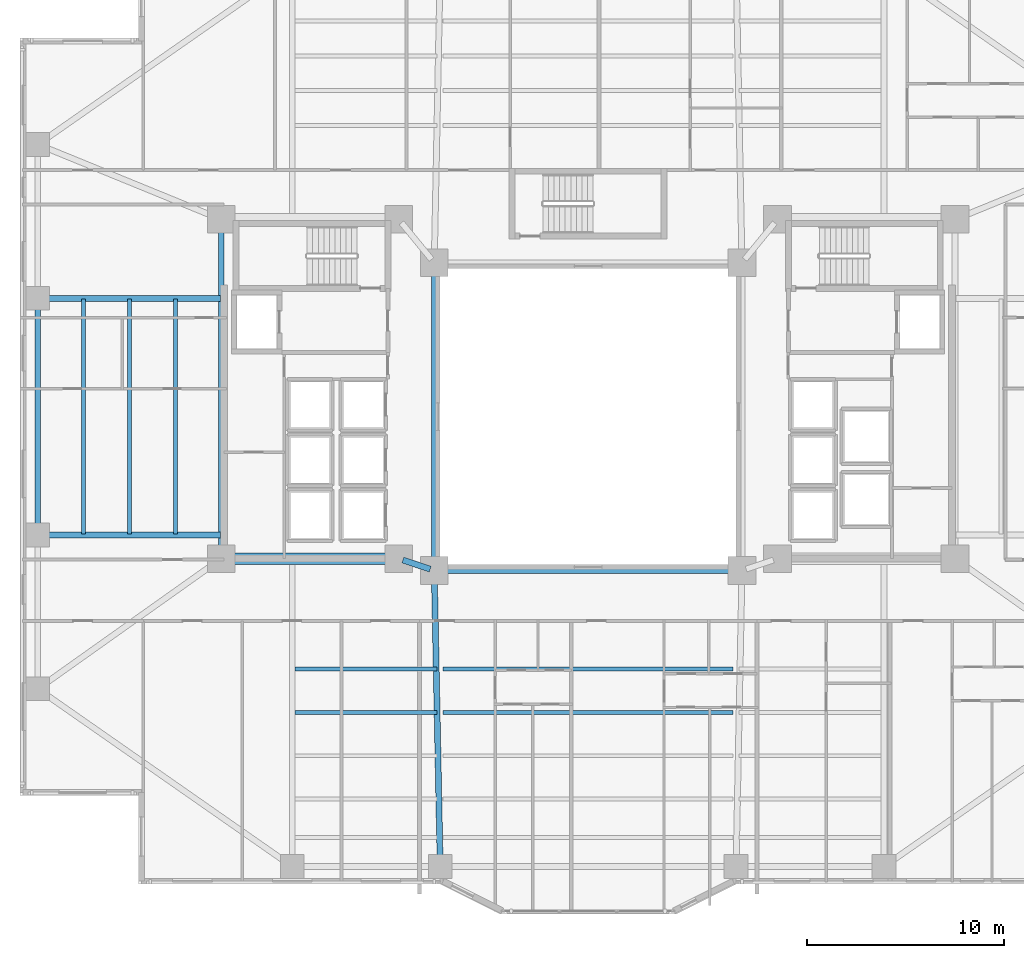
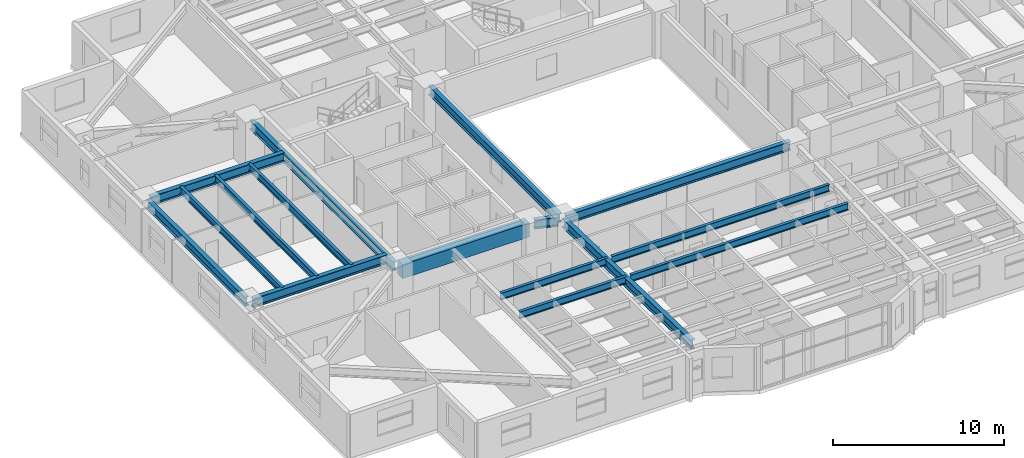
# One storey, part 3 of 21: 16 beams.
"""IFC4 building model written with IfcOpenShell, lengths in metres."""

from ifc_helpers import new_model, si_unit, direction, frame, origin, origin_2d, place, context, subcontext, project, spatial, rectangle, i_section, extrude, material, material_profile, profile_set, type_object, element, save


model = new_model("IFC4")

# Units and contexts
model_context = context("Model", 3, precision=1e-05, world=origin(), true_north=direction((0.0, 1.0)))
body_context = subcontext(model_context, "Body", "Model", "MODEL_VIEW")
ifc_project = project(units=[si_unit("LENGTHUNIT", "METRE"), si_unit("AREAUNIT", "SQUARE_METRE"), si_unit("VOLUMEUNIT", "CUBIC_METRE"), si_unit("PLANEANGLEUNIT", "RADIAN"), si_unit("MASSUNIT", "GRAM", prefix="KILO")], contexts=[model_context])

# Site, building, storey
site_placement = place(None, origin())
site = spatial("IfcSite", under=ifc_project, at=site_placement, CompositionType="ELEMENT")
building_placement = place(site_placement, origin())
building = spatial("IfcBuilding", under=site, at=building_placement, Name="Tarnavaz Court Tower", CompositionType="ELEMENT")
storey_placement = place(building_placement, frame((0.0, 0.0, 47.449951171875)))
storey = spatial("IfcBuildingStorey", under=building, at=storey_placement, Name="L12", CompositionType="ELEMENT", Elevation=47.449951171875)

# Beams
ifc_material_1 = material(Name="Concrete C60/75", Category="concrete")
ifc_material_profile_1 = material_profile(ifc_material_1, rectangle(XDim=0.60009765625, YDim=1.0, at=origin_2d()), Name="RC 600X1000")
ifc_profile_set_1 = profile_set([ifc_material_profile_1], Name="Concrete C60/75")
beam_type_1 = type_object("IfcBeamType", Name="BM-CB1000", PredefinedType="LINTEL", material=ifc_profile_set_1)
beam_1_placement = place(storey_placement, frame((-18.3798828125, -7.199951171875, 2.60009765625), z_axis=(1.0, 0.0, 0.0), x_axis=(0.0, 1.0, 0.0)))
element("IfcBeam", 1, at=beam_1_placement, inside=storey, type_object=beam_type_1, Name="L12 Beam IN-CW-SO-CW-SI", PredefinedType="LINTEL", context=body_context, shape_type="SweptSolid", body=[
    extrude(rectangle(XDim=0.60009765625, YDim=1.0, at=origin_2d()), origin(), (0.0, 0.0, 1.0), 8.559814453125),
])
ifc_material_2 = material(Name="Steel S355", Category="steel")
ifc_material_profile_2 = material_profile(ifc_material_2, i_section(OverallWidth=0.300048828125, OverallDepth=0.64990234375, WebThickness=0.01611328125, FlangeThickness=0.031005859375, FilletRadius=0.027099609375, at=origin_2d()), Name="HEB 650")
ifc_profile_set_2 = profile_set([ifc_material_profile_2], Name="Steel S355")
beam_type_2 = type_object("IfcBeamType", Name="BM-G-HEB650", PredefinedType="USERDEFINED", material=ifc_profile_set_2)
beam_2_placement = place(storey_placement, frame((-9.391357421875, -7.26953125, 2.775146484375), z_axis=(0.948666544706, -0.316278021615, 0.0), x_axis=(0.316278021615, 0.948666544706, 0.0)))
element("IfcBeam", 2, at=beam_2_placement, inside=storey, type_object=beam_type_2, Name="L12 Beam IN-CW-SI-IW-SW", ObjectType="GIRDER", PredefinedType="USERDEFINED", context=body_context, shape_type="SweptSolid", body=[
    extrude(i_section(OverallWidth=0.300048828125, OverallDepth=0.64990234375, WebThickness=0.01611328125, FlangeThickness=0.031005859375, FilletRadius=0.027099609375, at=origin_2d()), origin(), (0.0, 0.0, 1.0), 1.457275390625),
])
beam_3_placement = place(storey_placement, frame((-18.60009765625, -6.97998046875, 2.775146484375), z_axis=(0.0, 1.0, 0.0), x_axis=(-1.0, 0.0, 0.0)))
element("IfcBeam", 3, at=beam_3_placement, inside=storey, type_object=beam_type_2, Name="L12 Beam IN-CW-SO-CW-NO", ObjectType="GIRDER", PredefinedType="USERDEFINED", context=body_context, shape_type="SweptSolid", body=[
    extrude(i_section(OverallWidth=0.300048828125, OverallDepth=0.64990234375, WebThickness=0.01611328125, FlangeThickness=0.031005859375, FilletRadius=0.027099609375, at=origin_2d()), origin(), (0.0, 0.0, 1.0), 16.760009765625),
])
beam_4_placement = place(storey_placement, frame((-7.795654296875, -8.02001953125, 2.775146484375), z_axis=(0.020000023066, -0.999799979535, 0.0), x_axis=(0.999799979535, 0.020000023066, 0.0)))
element("IfcBeam", 4, at=beam_4_placement, inside=storey, type_object=beam_type_2, Name="L12 Beam RG-06", ObjectType="GIRDER", PredefinedType="USERDEFINED", context=body_context, shape_type="SweptSolid", body=[
    extrude(i_section(OverallWidth=0.300048828125, OverallDepth=0.64990234375, WebThickness=0.01611328125, FlangeThickness=0.031005859375, FilletRadius=0.027099609375, at=origin_2d()), origin(), (0.0, 0.0, 1.0), 14.56298828125),
])
for number, where, z_axis, x_axis, name in (
    (5, (-18.639892578125, -6.0, 2.775146484375), (-1.0, 0.0, 0.0), (0.0, -1.0, 0.0), "L12 Beam RG-13"),
    (6, (-18.639892578125, 6.0, 2.775146484375), (-1.0, 0.0, 0.0), (0.0, -1.0, 0.0), "L12 Beam RG-14"),
):
    element("IfcBeam", number, at=place(storey_placement, frame(where, z_axis=z_axis, x_axis=x_axis)), inside=storey, type_object=beam_type_2, Name=name, ObjectType="GIRDER", PredefinedType="USERDEFINED", context=body_context, shape_type="SweptSolid", body=[
        extrude(i_section(OverallWidth=0.300048828125, OverallDepth=0.64990234375, WebThickness=0.01611328125, FlangeThickness=0.031005859375, FilletRadius=0.027099609375, at=origin_2d()), origin(), (0.0, 0.0, 1.0), 9.0400390625),
    ])
ifc_material_profile_3 = material_profile(ifc_material_2, i_section(OverallWidth=0.199951171875, OverallDepth=0.5, WebThickness=0.01025390625, FlangeThickness=0.01611328125, FilletRadius=0.02099609375, at=origin_2d()), Name="IPE 500")
ifc_profile_set_3 = profile_set([ifc_material_profile_3], Name="Steel S355")
beam_type_3 = type_object("IfcBeamType", Name="BM-J-IPE500", PredefinedType="JOIST", material=ifc_profile_set_3)
beam_5_placement = place(storey_placement, frame((-14.85009765625, -12.7958984375, 2.85009765625), z_axis=(1.0, 0.0, 0.0), x_axis=(0.0, 1.0, 0.0)))
element("IfcBeam", 7, at=beam_5_placement, inside=storey, type_object=beam_type_3, Name="L12 Beam JS1-1", PredefinedType="JOIST", context=body_context, shape_type="SweptSolid", body=[
    extrude(i_section(OverallWidth=0.199951171875, OverallDepth=0.5, WebThickness=0.01025390625, FlangeThickness=0.01611328125, FilletRadius=0.02099609375, at=origin_2d()), origin(), (0.0, 0.0, 1.0), 7.2001953125),
])
beam_6_placement = place(storey_placement, frame((-7.35009765625, -12.7958984375, 2.85009765625), z_axis=(1.0, 0.0, 0.0), x_axis=(0.0, 1.0, 0.0)))
element("IfcBeam", 8, at=beam_6_placement, inside=storey, type_object=beam_type_3, Name="L12 Beam JS1-2", PredefinedType="JOIST", context=body_context, shape_type="SweptSolid", body=[
    extrude(i_section(OverallWidth=0.199951171875, OverallDepth=0.5, WebThickness=0.01025390625, FlangeThickness=0.01611328125, FilletRadius=0.02099609375, at=origin_2d()), origin(), (0.0, 0.0, 1.0), 14.7001953125),
])
beam_7_placement = place(storey_placement, frame((-14.85009765625, -14.991943359375, 2.85009765625), z_axis=(1.0, 0.0, 0.0), x_axis=(0.0, 1.0, 0.0)))
element("IfcBeam", 9, at=beam_7_placement, inside=storey, type_object=beam_type_3, Name="L12 Beam JS2-1", PredefinedType="JOIST", context=body_context, shape_type="SweptSolid", body=[
    extrude(i_section(OverallWidth=0.199951171875, OverallDepth=0.5, WebThickness=0.01025390625, FlangeThickness=0.01611328125, FilletRadius=0.02099609375, at=origin_2d()), origin(), (0.0, 0.0, 1.0), 7.2001953125),
])
beam_8_placement = place(storey_placement, frame((-7.35009765625, -14.991943359375, 2.85009765625), z_axis=(1.0, 0.0, 0.0), x_axis=(0.0, 1.0, 0.0)))
element("IfcBeam", 10, at=beam_8_placement, inside=storey, type_object=beam_type_3, Name="L12 Beam JS2-2", PredefinedType="JOIST", context=body_context, shape_type="SweptSolid", body=[
    extrude(i_section(OverallWidth=0.199951171875, OverallDepth=0.5, WebThickness=0.01025390625, FlangeThickness=0.01611328125, FilletRadius=0.02099609375, at=origin_2d()), origin(), (0.0, 0.0, 1.0), 14.7001953125),
])
for number, where, z_axis, x_axis, name in (
    (11, (-20.925048828125, -5.9599609375, 2.85009765625), (0.0, 1.0, 0.0), (-1.0, 0.0, 0.0), "L12 Beam JW1"),
    (12, (-23.25, -5.9599609375, 2.85009765625), (0.0, 1.0, 0.0), (-1.0, 0.0, 0.0), "L12 Beam JW2"),
    (13, (-25.574951171875, -5.9599609375, 2.85009765625), (0.0, 1.0, 0.0), (-1.0, 0.0, 0.0), "L12 Beam JW3"),
):
    element("IfcBeam", number, at=place(storey_placement, frame(where, z_axis=z_axis, x_axis=x_axis)), inside=storey, type_object=beam_type_3, Name=name, PredefinedType="JOIST", context=body_context, shape_type="SweptSolid", body=[
        extrude(i_section(OverallWidth=0.199951171875, OverallDepth=0.5, WebThickness=0.01025390625, FlangeThickness=0.01611328125, FilletRadius=0.02099609375, at=origin_2d()), origin(), (0.0, 0.0, 1.0), 11.919921875),
    ])
ifc_material_profile_4 = material_profile(ifc_material_2, i_section(OverallWidth=0.300048828125, OverallDepth=0.639892578125, WebThickness=0.013427734375, FlangeThickness=0.02587890625, FilletRadius=0.027099609375, at=origin_2d()), Name="HEA 650")
ifc_profile_set_4 = profile_set([ifc_material_profile_4], Name="Steel S355")
beam_type_4 = type_object("IfcBeamType", Name="BM-SP-HEA650", PredefinedType="SPANDREL", material=ifc_profile_set_4)
for number, where, z_axis, x_axis, name in (
    (14, (-7.580078125, -7.800048828125, 2.780029296875), (1.0, 0.0, 0.0), (0.0, 1.0, 0.0), "L12 Beam IN-IW-SW-IW-SE"),
    (15, (-7.800048828125, -7.580078125, 2.780029296875), (0.0, 1.0, 0.0), (-1.0, 0.0, 0.0), "L12 Beam IN-IW-SW-IW-NW"),
):
    element("IfcBeam", number, at=place(storey_placement, frame(where, z_axis=z_axis, x_axis=x_axis)), inside=storey, type_object=beam_type_4, Name=name, PredefinedType="SPANDREL", context=body_context, shape_type="SweptSolid", body=[
        extrude(i_section(OverallWidth=0.300048828125, OverallDepth=0.639892578125, WebThickness=0.013427734375, FlangeThickness=0.02587890625, FilletRadius=0.027099609375, at=origin_2d()), origin(), (0.0, 0.0, 1.0), 15.16015625),
    ])
beam_9_placement = place(storey_placement, frame((-27.89990234375, -5.780029296875, 2.780029296875), z_axis=(0.0, 1.0, 0.0), x_axis=(-1.0, 0.0, 0.0)))
element("IfcBeam", 16, at=beam_9_placement, inside=storey, type_object=beam_type_4, Name="L12 Beam PR-PW-2-PW-3", PredefinedType="SPANDREL", context=body_context, shape_type="SweptSolid", body=[
    extrude(i_section(OverallWidth=0.300048828125, OverallDepth=0.639892578125, WebThickness=0.013427734375, FlangeThickness=0.02587890625, FilletRadius=0.027099609375, at=origin_2d()), origin(), (0.0, 0.0, 1.0), 11.56005859375),
])

save(model, "model.ifc")
